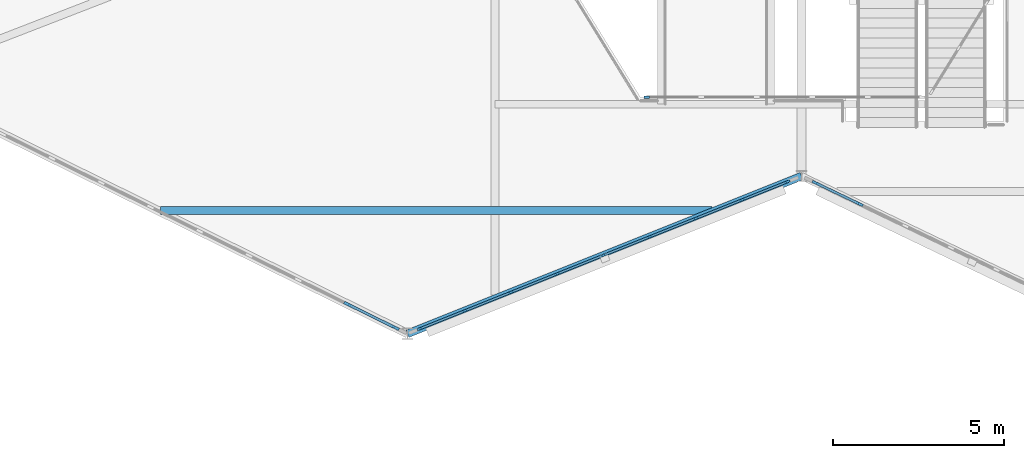
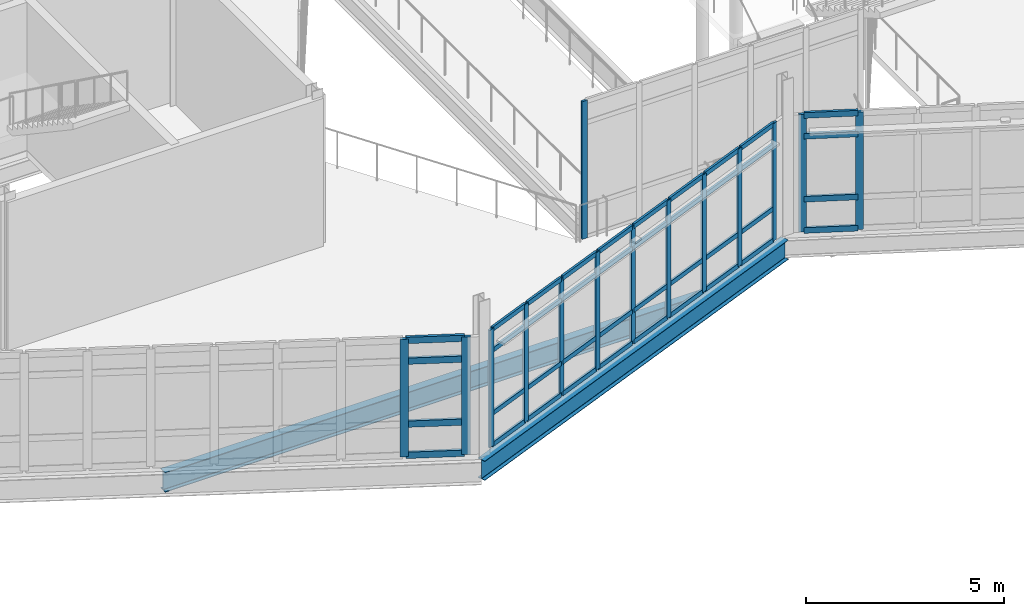
# One storey, part 29 of 114: 54 members, 2 beams, 4 elements without a shape of their own.
"""IFC4 building model written with IfcOpenShell, lengths in metres."""

from ifc_helpers import new_model, si_unit, direction, frame, origin, origin_2d, place, context, subcontext, project, spatial, rectangle, i_section, extrude, material, material_profile, profile_set, type_object, element, aggregate, save


model = new_model("IFC4")

# Units and contexts
model_context = context("Model", 3, precision=1e-05, world=origin(), true_north=direction((0.0, 1.0)))
body_context = subcontext(model_context, "Body", "Model", "MODEL_VIEW")
ifc_project = project(units=[si_unit("LENGTHUNIT", "METRE"), si_unit("AREAUNIT", "SQUARE_METRE"), si_unit("VOLUMEUNIT", "CUBIC_METRE"), si_unit("PLANEANGLEUNIT", "RADIAN"), si_unit("MASSUNIT", "GRAM", prefix="KILO")], contexts=[model_context])

# Site, building, storey
site_placement = place(None, origin())
site = spatial("IfcSite", under=ifc_project, at=site_placement, CompositionType="ELEMENT")
building_placement = place(site_placement, origin())
building = spatial("IfcBuilding", under=site, at=building_placement, Name="Tameran Prism Museum", CompositionType="ELEMENT")
storey_placement = place(building_placement, frame((0.0, 0.0, 10.199951171875)))
storey = spatial("IfcBuildingStorey", under=building, at=storey_placement, Name="L02", CompositionType="ELEMENT", Elevation=10.199951171875)

# Beams
ifc_material_1 = material(Name="Steel Grade 300PLUS (300 MPa)", Category="steel")
ifc_material_profile_1 = material_profile(ifc_material_1, i_section(OverallWidth=0.22802734375, OverallDepth=0.60205078125, WebThickness=0.010498046875, FlangeThickness=0.014892578125, FilletRadius=0.013916015625, at=origin_2d()))
ifc_profile_set_1 = profile_set([ifc_material_profile_1])
beam_type_1 = type_object("IfcBeamType", Name="BM-SP610", PredefinedType="SPANDREL", material=ifc_profile_set_1)
beam_1_placement = place(storey_placement, frame((66.0, 22.800048828125, -0.5009765625), z_axis=(0.928480769028, 0.371380480835, 0.0), x_axis=(-0.371380480835, 0.928480769028, 0.0)))
element("IfcBeam", 1, at=beam_1_placement, inside=storey, type_object=beam_type_1, Name="Perimeter Spandrel SP-0681", PredefinedType="SPANDREL", context=body_context, shape_type="SweptSolid", body=[
    extrude(i_section(OverallWidth=0.22802734375, OverallDepth=0.60205078125, WebThickness=0.010498046875, FlangeThickness=0.014892578125, FilletRadius=0.013916015625, at=origin_2d()), origin(), (0.0, 0.0, 1.0), 12.3857421875),
])
ifc_material_2 = material(Name="Steel Grade 300PLUS (300 MPa)", Category="steel")
ifc_material_profile_2 = material_profile(ifc_material_2, i_section(OverallWidth=0.22802734375, OverallDepth=0.60693359375, WebThickness=0.01123046875, FlangeThickness=0.017333984375, FilletRadius=0.013916015625, at=origin_2d()))
ifc_profile_set_2 = profile_set([ifc_material_profile_2])
beam_type_2 = type_object("IfcBeamType", Name="BM-UB610B", PredefinedType="BEAM", material=ifc_profile_set_2)
beam_2_placement = place(storey_placement, frame((58.79296875, 26.39990234375, -0.50341796875), z_axis=(1.0, 0.0, 0.0), x_axis=(0.0, 1.0, 0.0)))
element("IfcBeam", 2, at=beam_2_placement, inside=storey, type_object=beam_type_2, Name="Floor Beam BM-0850", PredefinedType="BEAM", context=body_context, shape_type="SweptSolid", body=[
    extrude(i_section(OverallWidth=0.22802734375, OverallDepth=0.60693359375, WebThickness=0.01123046875, FlangeThickness=0.017333984375, FilletRadius=0.013916015625, at=origin_2d()), origin(), (0.0, 0.0, 1.0), 16.09912109375),
])

# Curtain wall, member
ifc_material_3 = material(Name="Anodised Aluminium 6063-T6 and Cyclone Solar Glass", Category="aluminium")
curtain_wall_type_1 = type_object("IfcCurtainWallType", Name="CW-ATR-810x424", PredefinedType="USERDEFINED", material=ifc_material_3)
curtain_wall_1_placement = place(storey_placement, origin())
curtain_wall_1 = element("IfcCurtainWall", 3, at=curtain_wall_1_placement, inside=storey, type_object=curtain_wall_type_1, Name="Unitised Curtain Wall CW-007", ObjectType="UNITISED CURTAIN WALL", PredefinedType="USERDEFINED")
ifc_material_4 = material(Name="Anodised Aluminium Alloy 6063-T6", Category="aluminium")
ifc_material_profile_3 = material_profile(ifc_material_4, rectangle(XDim=0.06494140625, YDim=0.159912109375, at=origin_2d()))
ifc_profile_set_3 = profile_set([ifc_material_profile_3])
member_type_1 = type_object("IfcMemberType", Name="CW-MUL-A", PredefinedType="MULLION", material=ifc_profile_set_3)
member_1_placement = place(storey_placement, frame((72.982421875, 29.699951171875, 0.0), z_axis=(0.0, 0.0, 1.0), x_axis=(0.0, 1.0, 0.0)))
member_1 = element("IfcMember", 4, at=member_1_placement, type_object=member_type_1, Name="CW-007 mullion 1", PredefinedType="MULLION", context=body_context, shape_type="SweptSolid", body=[
    extrude(rectangle(XDim=0.06494140625, YDim=0.159912109375, at=origin_2d()), origin(), (0.0, 0.0, 1.0), 4.239990234375),
])
aggregate(curtain_wall_1, [member_1])

# Curtain wall, members
ifc_material_5 = material(Name="Anodised Aluminium 6063-T6 and Cyclone Solar Glass", Category="aluminium")
curtain_wall_type_2 = type_object("IfcCurtainWallType", Name="CW-FAC-1163x362", PredefinedType="USERDEFINED", material=ifc_material_5)
curtain_wall_2_placement = place(storey_placement, origin())
curtain_wall_2 = element("IfcCurtainWall", 5, at=curtain_wall_2_placement, inside=storey, type_object=curtain_wall_type_2, Name="Unitised Curtain Wall CW-107", ObjectType="UNITISED CURTAIN WALL", PredefinedType="USERDEFINED")
member_2_placement = place(storey_placement, frame((77.0888671875, 27.23583984375, 0.0), z_axis=(0.0, 0.0, 1.0), x_axis=(0.371420337114, -0.928464826032, 0.0)))
member_2 = element("IfcMember", 6, at=member_2_placement, type_object=member_type_1, Name="CW-107 mullion 1", PredefinedType="MULLION", context=body_context, shape_type="SweptSolid", body=[
    extrude(rectangle(XDim=0.06494140625, YDim=0.159912109375, at=origin_2d()), origin(), (0.0, 0.0, 1.0), 3.6201171875),
])
member_3_placement = place(storey_placement, frame((75.769775390625, 26.708251953125, 0.0), z_axis=(0.0, 0.0, 1.0), x_axis=(0.371420337114, -0.928464826032, 0.0)))
member_3 = element("IfcMember", 7, at=member_3_placement, type_object=member_type_1, Name="CW-107 mullion 2", PredefinedType="MULLION", context=body_context, shape_type="SweptSolid", body=[
    extrude(rectangle(XDim=0.06494140625, YDim=0.159912109375, at=origin_2d()), origin(), (0.0, 0.0, 1.0), 3.6201171875),
])
member_4_placement = place(storey_placement, frame((74.42041015625, 26.16845703125, 0.0), z_axis=(0.0, 0.0, 1.0), x_axis=(0.371420337114, -0.928464826032, 0.0)))
member_4 = element("IfcMember", 8, at=member_4_placement, type_object=member_type_1, Name="CW-107 mullion 3", PredefinedType="MULLION", context=body_context, shape_type="SweptSolid", body=[
    extrude(rectangle(XDim=0.06494140625, YDim=0.159912109375, at=origin_2d()), origin(), (0.0, 0.0, 1.0), 3.6201171875),
])
member_5_placement = place(storey_placement, frame((73.0712890625, 25.628662109375, 0.0), z_axis=(0.0, 0.0, 1.0), x_axis=(0.371420337114, -0.928464826032, 0.0)))
member_5 = element("IfcMember", 9, at=member_5_placement, type_object=member_type_1, Name="CW-107 mullion 4", PredefinedType="MULLION", context=body_context, shape_type="SweptSolid", body=[
    extrude(rectangle(XDim=0.06494140625, YDim=0.159912109375, at=origin_2d()), origin(), (0.0, 0.0, 1.0), 3.6201171875),
])
member_6_placement = place(storey_placement, frame((71.721923828125, 25.089111328125, 0.0), z_axis=(0.0, 0.0, 1.0), x_axis=(0.371420337114, -0.928464826032, 0.0)))
member_6 = element("IfcMember", 10, at=member_6_placement, type_object=member_type_1, Name="CW-107 mullion 5", PredefinedType="MULLION", context=body_context, shape_type="SweptSolid", body=[
    extrude(rectangle(XDim=0.06494140625, YDim=0.159912109375, at=origin_2d()), origin(), (0.0, 0.0, 1.0), 3.6201171875),
])
member_7_placement = place(storey_placement, frame((70.372802734375, 24.54931640625, 0.0), z_axis=(0.0, 0.0, 1.0), x_axis=(0.371420337114, -0.928464826032, 0.0)))
member_7 = element("IfcMember", 11, at=member_7_placement, type_object=member_type_1, Name="CW-107 mullion 6", PredefinedType="MULLION", context=body_context, shape_type="SweptSolid", body=[
    extrude(rectangle(XDim=0.06494140625, YDim=0.159912109375, at=origin_2d()), origin(), (0.0, 0.0, 1.0), 3.6201171875),
])
member_8_placement = place(storey_placement, frame((69.0234375, 24.009521484375, 0.0), z_axis=(0.0, 0.0, 1.0), x_axis=(0.371420337114, -0.928464826032, 0.0)))
member_8 = element("IfcMember", 12, at=member_8_placement, type_object=member_type_1, Name="CW-107 mullion 7", PredefinedType="MULLION", context=body_context, shape_type="SweptSolid", body=[
    extrude(rectangle(XDim=0.06494140625, YDim=0.159912109375, at=origin_2d()), origin(), (0.0, 0.0, 1.0), 3.6201171875),
])
member_9_placement = place(storey_placement, frame((67.67431640625, 23.4697265625, 0.0), z_axis=(0.0, 0.0, 1.0), x_axis=(0.371420337114, -0.928464826032, 0.0)))
member_9 = element("IfcMember", 13, at=member_9_placement, type_object=member_type_1, Name="CW-107 mullion 8", PredefinedType="MULLION", context=body_context, shape_type="SweptSolid", body=[
    extrude(rectangle(XDim=0.06494140625, YDim=0.159912109375, at=origin_2d()), origin(), (0.0, 0.0, 1.0), 3.6201171875),
])
member_10_placement = place(storey_placement, frame((66.355224609375, 22.942138671875, 0.0), z_axis=(0.0, 0.0, 1.0), x_axis=(0.371420337114, -0.928464826032, 0.0)))
member_10 = element("IfcMember", 14, at=member_10_placement, type_object=member_type_1, Name="CW-107 mullion 9", PredefinedType="MULLION", context=body_context, shape_type="SweptSolid", body=[
    extrude(rectangle(XDim=0.06494140625, YDim=0.159912109375, at=origin_2d()), origin(), (0.0, 0.0, 1.0), 3.6201171875),
])

ifc_material_6 = material(Name="Anodised Aluminium 6063-T6 and Cyclone Solar Glass", Category="aluminium")
curtain_wall_type_3 = type_object("IfcCurtainWallType", Name="CW-FAC-1033x362", PredefinedType="USERDEFINED", material=ifc_material_6)
curtain_wall_3_placement = place(storey_placement, origin())
curtain_wall_3 = element("IfcCurtainWall", 15, at=curtain_wall_3_placement, inside=storey, type_object=curtain_wall_type_3, Name="Unitised Curtain Wall CW-109", ObjectType="UNITISED CURTAIN WALL", PredefinedType="USERDEFINED")
ifc_material_7 = material(Name="Anodised Aluminium Alloy 6063-T6", Category="aluminium")
ifc_material_profile_4 = material_profile(ifc_material_7, rectangle(XDim=0.074951171875, YDim=0.199951171875, at=origin_2d()))
ifc_profile_set_4 = profile_set([ifc_material_profile_4])
member_type_2 = type_object("IfcMemberType", Name="CW-MUL-C", PredefinedType="MULLION", material=ifc_profile_set_4)
member_11_placement = place(storey_placement, frame((79.20068359375, 26.584228515625, 0.0), z_axis=(0.0, 0.0, 1.0), x_axis=(-0.432831753637, -0.901474721245, 0.0)))
member_11 = element("IfcMember", 16, at=member_11_placement, type_object=member_type_2, Name="CW-109 mullion 7", PredefinedType="MULLION", context=body_context, shape_type="SweptSolid", body=[
    extrude(rectangle(XDim=0.074951171875, YDim=0.199951171875, at=origin_2d()), origin(), (0.0, 0.0, 1.0), 3.6201171875),
])
member_12_placement = place(storey_placement, frame((77.90380859375, 27.206787109375, 0.0), z_axis=(0.0, 0.0, 1.0), x_axis=(-0.432831753637, -0.901474721245, 0.0)))
member_12 = element("IfcMember", 17, at=member_12_placement, type_object=member_type_2, Name="CW-109 mullion 8", PredefinedType="MULLION", context=body_context, shape_type="SweptSolid", body=[
    extrude(rectangle(XDim=0.074951171875, YDim=0.199951171875, at=origin_2d()), origin(), (0.0, 0.0, 1.0), 3.6201171875),
])

ifc_material_8 = material(Name="Anodised Aluminium 6063-T6 and Cyclone Solar Glass", Category="aluminium")
curtain_wall_type_4 = type_object("IfcCurtainWallType", Name="CW-FAC-1603x362", PredefinedType="USERDEFINED", material=ifc_material_8)
curtain_wall_4_placement = place(storey_placement, origin())
curtain_wall_4 = element("IfcCurtainWall", 18, at=curtain_wall_4_placement, inside=storey, type_object=curtain_wall_type_4, Name="Unitised Curtain Wall CW-106", ObjectType="UNITISED CURTAIN WALL", PredefinedType="USERDEFINED")
ifc_material_9 = material(Name="Anodised Aluminium Alloy 6063-T6", Category="aluminium")
ifc_material_profile_5 = material_profile(ifc_material_9, rectangle(XDim=0.080078125, YDim=0.219970703125, at=origin_2d()))
ifc_profile_set_5 = profile_set([ifc_material_profile_5])
member_type_3 = type_object("IfcMemberType", Name="CW-MUL-D", PredefinedType="MULLION", material=ifc_profile_set_5)
member_13_placement = place(storey_placement, frame((65.650146484375, 22.97265625, 0.0), z_axis=(0.0, 0.0, 1.0), x_axis=(-0.44241486846, -0.896810506275, 0.0)))
member_13 = element("IfcMember", 19, at=member_13_placement, type_object=member_type_3, Name="CW-106 mullion 1", PredefinedType="MULLION", context=body_context, shape_type="SweptSolid", body=[
    extrude(rectangle(XDim=0.080078125, YDim=0.219970703125, at=origin_2d()), origin(), (0.0, 0.0, 1.0), 3.6201171875),
])
member_14_placement = place(storey_placement, frame((64.248779296875, 23.6640625, 0.0), z_axis=(0.0, 0.0, 1.0), x_axis=(-0.44241486846, -0.896810506275, 0.0)))
member_14 = element("IfcMember", 20, at=member_14_placement, type_object=member_type_3, Name="CW-106 mullion 2", PredefinedType="MULLION", context=body_context, shape_type="SweptSolid", body=[
    extrude(rectangle(XDim=0.080078125, YDim=0.219970703125, at=origin_2d()), origin(), (0.0, 0.0, 1.0), 3.6201171875),
])

# Member
ifc_material_10 = material(Name="Anodised Aluminium Alloy 6063-T6", Category="aluminium")
ifc_material_profile_6 = material_profile(ifc_material_10, rectangle(XDim=0.06494140625, YDim=0.139892578125, at=origin_2d()))
ifc_profile_set_6 = profile_set([ifc_material_profile_6])
member_type_4 = type_object("IfcMemberType", Name="CW-TRN-A", PredefinedType="USERDEFINED", material=ifc_profile_set_6)
member_15_placement = place(storey_placement, frame((77.05859375, 27.223876953125, 0.032470703125), z_axis=(-0.928439430411, -0.371483813991, 0.0), x_axis=(0.371483813991, -0.928439430411, 0.0)))
member_15 = element("IfcMember", 21, at=member_15_placement, type_object=member_type_4, Name="CW-107 transom 1.1", ObjectType="TRANSOM", PredefinedType="USERDEFINED", context=body_context, shape_type="SweptSolid", body=[
    extrude(rectangle(XDim=0.06494140625, YDim=0.139892578125, at=origin_2d()), origin(), (0.0, 0.0, 1.0), 1.355712890625),
])

member_16_placement = place(storey_placement, frame((77.05859375, 27.223876953125, 1.0), z_axis=(-0.928439430411, -0.371483813991, 0.0), x_axis=(0.371483813991, -0.928439430411, 0.0)))
member_16 = element("IfcMember", 22, at=member_16_placement, type_object=member_type_4, Name="CW-107 transom 1.2", ObjectType="TRANSOM", PredefinedType="USERDEFINED", context=body_context, shape_type="SweptSolid", body=[
    extrude(rectangle(XDim=0.06494140625, YDim=0.139892578125, at=origin_2d()), origin(), (0.0, 0.0, 1.0), 1.355712890625),
])

member_17_placement = place(storey_placement, frame((77.05859375, 27.223876953125, 2.93994140625), z_axis=(-0.928439430411, -0.371483813991, 0.0), x_axis=(0.371483813991, -0.928439430411, 0.0)))
member_17 = element("IfcMember", 23, at=member_17_placement, type_object=member_type_4, Name="CW-107 transom 1.3", ObjectType="TRANSOM", PredefinedType="USERDEFINED", context=body_context, shape_type="SweptSolid", body=[
    extrude(rectangle(XDim=0.06494140625, YDim=0.139892578125, at=origin_2d()), origin(), (0.0, 0.0, 1.0), 1.355712890625),
])

member_18_placement = place(storey_placement, frame((77.05859375, 27.223876953125, 3.587646484375), z_axis=(-0.928439430411, -0.371483813991, 0.0), x_axis=(0.371483813991, -0.928439430411, 0.0)))
member_18 = element("IfcMember", 24, at=member_18_placement, type_object=member_type_4, Name="CW-107 transom 1.4", ObjectType="TRANSOM", PredefinedType="USERDEFINED", context=body_context, shape_type="SweptSolid", body=[
    extrude(rectangle(XDim=0.06494140625, YDim=0.139892578125, at=origin_2d()), origin(), (0.0, 0.0, 1.0), 1.355712890625),
])

member_19_placement = place(storey_placement, frame((75.739501953125, 26.6962890625, 0.032470703125), z_axis=(-0.928452430067, -0.371451322656, 0.0), x_axis=(0.371451322656, -0.928452430067, 0.0)))
member_19 = element("IfcMember", 25, at=member_19_placement, type_object=member_type_4, Name="CW-107 transom 2.1", ObjectType="TRANSOM", PredefinedType="USERDEFINED", context=body_context, shape_type="SweptSolid", body=[
    extrude(rectangle(XDim=0.06494140625, YDim=0.139892578125, at=origin_2d()), origin(), (0.0, 0.0, 1.0), 1.38818359375),
])

member_20_placement = place(storey_placement, frame((75.739501953125, 26.6962890625, 1.0), z_axis=(-0.928452430067, -0.371451322656, 0.0), x_axis=(0.371451322656, -0.928452430067, 0.0)))
member_20 = element("IfcMember", 26, at=member_20_placement, type_object=member_type_4, Name="CW-107 transom 2.2", ObjectType="TRANSOM", PredefinedType="USERDEFINED", context=body_context, shape_type="SweptSolid", body=[
    extrude(rectangle(XDim=0.06494140625, YDim=0.139892578125, at=origin_2d()), origin(), (0.0, 0.0, 1.0), 1.38818359375),
])

member_21_placement = place(storey_placement, frame((75.739501953125, 26.6962890625, 2.93994140625), z_axis=(-0.928452430067, -0.371451322656, 0.0), x_axis=(0.371451322656, -0.928452430067, 0.0)))
member_21 = element("IfcMember", 27, at=member_21_placement, type_object=member_type_4, Name="CW-107 transom 2.3", ObjectType="TRANSOM", PredefinedType="USERDEFINED", context=body_context, shape_type="SweptSolid", body=[
    extrude(rectangle(XDim=0.06494140625, YDim=0.139892578125, at=origin_2d()), origin(), (0.0, 0.0, 1.0), 1.38818359375),
])

member_22_placement = place(storey_placement, frame((75.739501953125, 26.6962890625, 3.587646484375), z_axis=(-0.928452430067, -0.371451322656, 0.0), x_axis=(0.371451322656, -0.928452430067, 0.0)))
member_22 = element("IfcMember", 28, at=member_22_placement, type_object=member_type_4, Name="CW-107 transom 2.4", ObjectType="TRANSOM", PredefinedType="USERDEFINED", context=body_context, shape_type="SweptSolid", body=[
    extrude(rectangle(XDim=0.06494140625, YDim=0.139892578125, at=origin_2d()), origin(), (0.0, 0.0, 1.0), 1.38818359375),
])

member_23_placement = place(storey_placement, frame((74.390380859375, 26.156494140625, 0.032470703125), z_axis=(-0.928476690885, -0.371390676354, 0.0), x_axis=(0.371390676354, -0.928476690885, 0.0)))
member_23 = element("IfcMember", 29, at=member_23_placement, type_object=member_type_4, Name="CW-107 transom 3.1", ObjectType="TRANSOM", PredefinedType="USERDEFINED", context=body_context, shape_type="SweptSolid", body=[
    extrude(rectangle(XDim=0.06494140625, YDim=0.139892578125, at=origin_2d()), origin(), (0.0, 0.0, 1.0), 1.388427734375),
])

member_24_placement = place(storey_placement, frame((74.390380859375, 26.156494140625, 1.0), z_axis=(-0.928476690885, -0.371390676354, 0.0), x_axis=(0.371390676354, -0.928476690885, 0.0)))
member_24 = element("IfcMember", 30, at=member_24_placement, type_object=member_type_4, Name="CW-107 transom 3.2", ObjectType="TRANSOM", PredefinedType="USERDEFINED", context=body_context, shape_type="SweptSolid", body=[
    extrude(rectangle(XDim=0.06494140625, YDim=0.139892578125, at=origin_2d()), origin(), (0.0, 0.0, 1.0), 1.388427734375),
])

member_25_placement = place(storey_placement, frame((74.390380859375, 26.156494140625, 2.93994140625), z_axis=(-0.928476690885, -0.371390676354, 0.0), x_axis=(0.371390676354, -0.928476690885, 0.0)))
member_25 = element("IfcMember", 31, at=member_25_placement, type_object=member_type_4, Name="CW-107 transom 3.3", ObjectType="TRANSOM", PredefinedType="USERDEFINED", context=body_context, shape_type="SweptSolid", body=[
    extrude(rectangle(XDim=0.06494140625, YDim=0.139892578125, at=origin_2d()), origin(), (0.0, 0.0, 1.0), 1.388427734375),
])

member_26_placement = place(storey_placement, frame((74.390380859375, 26.156494140625, 3.587646484375), z_axis=(-0.928476690885, -0.371390676354, 0.0), x_axis=(0.371390676354, -0.928476690885, 0.0)))
member_26 = element("IfcMember", 32, at=member_26_placement, type_object=member_type_4, Name="CW-107 transom 3.4", ObjectType="TRANSOM", PredefinedType="USERDEFINED", context=body_context, shape_type="SweptSolid", body=[
    extrude(rectangle(XDim=0.06494140625, YDim=0.139892578125, at=origin_2d()), origin(), (0.0, 0.0, 1.0), 1.388427734375),
])

member_27_placement = place(storey_placement, frame((73.041015625, 25.61669921875, 0.032470703125), z_axis=(-0.928452430067, -0.371451322656, 0.0), x_axis=(0.371451322656, -0.928452430067, 0.0)))
member_27 = element("IfcMember", 33, at=member_27_placement, type_object=member_type_4, Name="CW-107 transom 4.1", ObjectType="TRANSOM", PredefinedType="USERDEFINED", context=body_context, shape_type="SweptSolid", body=[
    extrude(rectangle(XDim=0.06494140625, YDim=0.139892578125, at=origin_2d()), origin(), (0.0, 0.0, 1.0), 1.38818359375),
])

member_28_placement = place(storey_placement, frame((73.041015625, 25.61669921875, 1.0), z_axis=(-0.928452430067, -0.371451322656, 0.0), x_axis=(0.371451322656, -0.928452430067, 0.0)))
member_28 = element("IfcMember", 34, at=member_28_placement, type_object=member_type_4, Name="CW-107 transom 4.2", ObjectType="TRANSOM", PredefinedType="USERDEFINED", context=body_context, shape_type="SweptSolid", body=[
    extrude(rectangle(XDim=0.06494140625, YDim=0.139892578125, at=origin_2d()), origin(), (0.0, 0.0, 1.0), 1.38818359375),
])

member_29_placement = place(storey_placement, frame((73.041015625, 25.61669921875, 2.93994140625), z_axis=(-0.928452430067, -0.371451322656, 0.0), x_axis=(0.371451322656, -0.928452430067, 0.0)))
member_29 = element("IfcMember", 35, at=member_29_placement, type_object=member_type_4, Name="CW-107 transom 4.3", ObjectType="TRANSOM", PredefinedType="USERDEFINED", context=body_context, shape_type="SweptSolid", body=[
    extrude(rectangle(XDim=0.06494140625, YDim=0.139892578125, at=origin_2d()), origin(), (0.0, 0.0, 1.0), 1.38818359375),
])

member_30_placement = place(storey_placement, frame((73.041015625, 25.61669921875, 3.587646484375), z_axis=(-0.928452430067, -0.371451322656, 0.0), x_axis=(0.371451322656, -0.928452430067, 0.0)))
member_30 = element("IfcMember", 36, at=member_30_placement, type_object=member_type_4, Name="CW-107 transom 4.4", ObjectType="TRANSOM", PredefinedType="USERDEFINED", context=body_context, shape_type="SweptSolid", body=[
    extrude(rectangle(XDim=0.06494140625, YDim=0.139892578125, at=origin_2d()), origin(), (0.0, 0.0, 1.0), 1.38818359375),
])

member_31_placement = place(storey_placement, frame((71.69189453125, 25.076904296875, 0.032470703125), z_axis=(-0.928476690885, -0.371390676354, 0.0), x_axis=(0.371390676354, -0.928476690885, 0.0)))
member_31 = element("IfcMember", 37, at=member_31_placement, type_object=member_type_4, Name="CW-107 transom 5.1", ObjectType="TRANSOM", PredefinedType="USERDEFINED", context=body_context, shape_type="SweptSolid", body=[
    extrude(rectangle(XDim=0.06494140625, YDim=0.139892578125, at=origin_2d()), origin(), (0.0, 0.0, 1.0), 1.388427734375),
])

member_32_placement = place(storey_placement, frame((71.69189453125, 25.076904296875, 1.0), z_axis=(-0.928476690885, -0.371390676354, 0.0), x_axis=(0.371390676354, -0.928476690885, 0.0)))
member_32 = element("IfcMember", 38, at=member_32_placement, type_object=member_type_4, Name="CW-107 transom 5.2", ObjectType="TRANSOM", PredefinedType="USERDEFINED", context=body_context, shape_type="SweptSolid", body=[
    extrude(rectangle(XDim=0.06494140625, YDim=0.139892578125, at=origin_2d()), origin(), (0.0, 0.0, 1.0), 1.388427734375),
])

member_33_placement = place(storey_placement, frame((71.69189453125, 25.076904296875, 2.93994140625), z_axis=(-0.928476690885, -0.371390676354, 0.0), x_axis=(0.371390676354, -0.928476690885, 0.0)))
member_33 = element("IfcMember", 39, at=member_33_placement, type_object=member_type_4, Name="CW-107 transom 5.3", ObjectType="TRANSOM", PredefinedType="USERDEFINED", context=body_context, shape_type="SweptSolid", body=[
    extrude(rectangle(XDim=0.06494140625, YDim=0.139892578125, at=origin_2d()), origin(), (0.0, 0.0, 1.0), 1.388427734375),
])

member_34_placement = place(storey_placement, frame((71.69189453125, 25.076904296875, 3.587646484375), z_axis=(-0.928476690885, -0.371390676354, 0.0), x_axis=(0.371390676354, -0.928476690885, 0.0)))
member_34 = element("IfcMember", 40, at=member_34_placement, type_object=member_type_4, Name="CW-107 transom 5.4", ObjectType="TRANSOM", PredefinedType="USERDEFINED", context=body_context, shape_type="SweptSolid", body=[
    extrude(rectangle(XDim=0.06494140625, YDim=0.139892578125, at=origin_2d()), origin(), (0.0, 0.0, 1.0), 1.388427734375),
])

member_35_placement = place(storey_placement, frame((70.342529296875, 24.537109375, 0.032470703125), z_axis=(-0.928452430067, -0.371451322656, 0.0), x_axis=(0.371451322656, -0.928452430067, 0.0)))
member_35 = element("IfcMember", 41, at=member_35_placement, type_object=member_type_4, Name="CW-107 transom 6.1", ObjectType="TRANSOM", PredefinedType="USERDEFINED", context=body_context, shape_type="SweptSolid", body=[
    extrude(rectangle(XDim=0.06494140625, YDim=0.139892578125, at=origin_2d()), origin(), (0.0, 0.0, 1.0), 1.38818359375),
])

member_36_placement = place(storey_placement, frame((70.342529296875, 24.537109375, 1.0), z_axis=(-0.928452430067, -0.371451322656, 0.0), x_axis=(0.371451322656, -0.928452430067, 0.0)))
member_36 = element("IfcMember", 42, at=member_36_placement, type_object=member_type_4, Name="CW-107 transom 6.2", ObjectType="TRANSOM", PredefinedType="USERDEFINED", context=body_context, shape_type="SweptSolid", body=[
    extrude(rectangle(XDim=0.06494140625, YDim=0.139892578125, at=origin_2d()), origin(), (0.0, 0.0, 1.0), 1.38818359375),
])

member_37_placement = place(storey_placement, frame((70.342529296875, 24.537109375, 2.93994140625), z_axis=(-0.928452430067, -0.371451322656, 0.0), x_axis=(0.371451322656, -0.928452430067, 0.0)))
member_37 = element("IfcMember", 43, at=member_37_placement, type_object=member_type_4, Name="CW-107 transom 6.3", ObjectType="TRANSOM", PredefinedType="USERDEFINED", context=body_context, shape_type="SweptSolid", body=[
    extrude(rectangle(XDim=0.06494140625, YDim=0.139892578125, at=origin_2d()), origin(), (0.0, 0.0, 1.0), 1.38818359375),
])

member_38_placement = place(storey_placement, frame((70.342529296875, 24.537109375, 3.587646484375), z_axis=(-0.928452430067, -0.371451322656, 0.0), x_axis=(0.371451322656, -0.928452430067, 0.0)))
member_38 = element("IfcMember", 44, at=member_38_placement, type_object=member_type_4, Name="CW-107 transom 6.4", ObjectType="TRANSOM", PredefinedType="USERDEFINED", context=body_context, shape_type="SweptSolid", body=[
    extrude(rectangle(XDim=0.06494140625, YDim=0.139892578125, at=origin_2d()), origin(), (0.0, 0.0, 1.0), 1.38818359375),
])

member_39_placement = place(storey_placement, frame((68.993408203125, 23.997314453125, 0.032470703125), z_axis=(-0.92853731966, -0.371239068523, 0.0), x_axis=(0.371239068523, -0.92853731966, 0.0)))
member_39 = element("IfcMember", 45, at=member_39_placement, type_object=member_type_4, Name="CW-107 transom 7.1", ObjectType="TRANSOM", PredefinedType="USERDEFINED", context=body_context, shape_type="SweptSolid", body=[
    extrude(rectangle(XDim=0.06494140625, YDim=0.139892578125, at=origin_2d()), origin(), (0.0, 0.0, 1.0), 1.38818359375),
])

member_40_placement = place(storey_placement, frame((68.993408203125, 23.997314453125, 1.0), z_axis=(-0.92853731966, -0.371239068523, 0.0), x_axis=(0.371239068523, -0.92853731966, 0.0)))
member_40 = element("IfcMember", 46, at=member_40_placement, type_object=member_type_4, Name="CW-107 transom 7.2", ObjectType="TRANSOM", PredefinedType="USERDEFINED", context=body_context, shape_type="SweptSolid", body=[
    extrude(rectangle(XDim=0.06494140625, YDim=0.139892578125, at=origin_2d()), origin(), (0.0, 0.0, 1.0), 1.38818359375),
])

member_41_placement = place(storey_placement, frame((68.993408203125, 23.997314453125, 2.93994140625), z_axis=(-0.92853731966, -0.371239068523, 0.0), x_axis=(0.371239068523, -0.92853731966, 0.0)))
member_41 = element("IfcMember", 47, at=member_41_placement, type_object=member_type_4, Name="CW-107 transom 7.3", ObjectType="TRANSOM", PredefinedType="USERDEFINED", context=body_context, shape_type="SweptSolid", body=[
    extrude(rectangle(XDim=0.06494140625, YDim=0.139892578125, at=origin_2d()), origin(), (0.0, 0.0, 1.0), 1.38818359375),
])

member_42_placement = place(storey_placement, frame((68.993408203125, 23.997314453125, 3.587646484375), z_axis=(-0.92853731966, -0.371239068523, 0.0), x_axis=(0.371239068523, -0.92853731966, 0.0)))
member_42 = element("IfcMember", 48, at=member_42_placement, type_object=member_type_4, Name="CW-107 transom 7.4", ObjectType="TRANSOM", PredefinedType="USERDEFINED", context=body_context, shape_type="SweptSolid", body=[
    extrude(rectangle(XDim=0.06494140625, YDim=0.139892578125, at=origin_2d()), origin(), (0.0, 0.0, 1.0), 1.38818359375),
])

member_43_placement = place(storey_placement, frame((67.64404296875, 23.457763671875, 0.032470703125), z_axis=(-0.928439430411, -0.371483813991, 0.0), x_axis=(0.371483813991, -0.928439430411, 0.0)))
member_43 = element("IfcMember", 49, at=member_43_placement, type_object=member_type_4, Name="CW-107 transom 8.1", ObjectType="TRANSOM", PredefinedType="USERDEFINED", context=body_context, shape_type="SweptSolid", body=[
    extrude(rectangle(XDim=0.06494140625, YDim=0.139892578125, at=origin_2d()), origin(), (0.0, 0.0, 1.0), 1.355712890625),
])

member_44_placement = place(storey_placement, frame((67.64404296875, 23.457763671875, 1.0), z_axis=(-0.928439430411, -0.371483813991, 0.0), x_axis=(0.371483813991, -0.928439430411, 0.0)))
member_44 = element("IfcMember", 50, at=member_44_placement, type_object=member_type_4, Name="CW-107 transom 8.2", ObjectType="TRANSOM", PredefinedType="USERDEFINED", context=body_context, shape_type="SweptSolid", body=[
    extrude(rectangle(XDim=0.06494140625, YDim=0.139892578125, at=origin_2d()), origin(), (0.0, 0.0, 1.0), 1.355712890625),
])

member_45_placement = place(storey_placement, frame((67.64404296875, 23.457763671875, 2.93994140625), z_axis=(-0.928439430411, -0.371483813991, 0.0), x_axis=(0.371483813991, -0.928439430411, 0.0)))
member_45 = element("IfcMember", 51, at=member_45_placement, type_object=member_type_4, Name="CW-107 transom 8.3", ObjectType="TRANSOM", PredefinedType="USERDEFINED", context=body_context, shape_type="SweptSolid", body=[
    extrude(rectangle(XDim=0.06494140625, YDim=0.139892578125, at=origin_2d()), origin(), (0.0, 0.0, 1.0), 1.355712890625),
])

member_46_placement = place(storey_placement, frame((67.64404296875, 23.457763671875, 3.587646484375), z_axis=(-0.928439430411, -0.371483813991, 0.0), x_axis=(0.371483813991, -0.928439430411, 0.0)))
member_46 = element("IfcMember", 52, at=member_46_placement, type_object=member_type_4, Name="CW-107 transom 8.4", ObjectType="TRANSOM", PredefinedType="USERDEFINED", context=body_context, shape_type="SweptSolid", body=[
    extrude(rectangle(XDim=0.06494140625, YDim=0.139892578125, at=origin_2d()), origin(), (0.0, 0.0, 1.0), 1.355712890625),
])

aggregate(curtain_wall_2, [member_2, member_3, member_4, member_5, member_6, member_7, member_8, member_9, member_10, member_15, member_16, member_17, member_18, member_19, member_20, member_21, member_22, member_23, member_24, member_25, member_26, member_27, member_28, member_29, member_30, member_31, member_32, member_33, member_34, member_35, member_36, member_37, member_38, member_39, member_40, member_41, member_42, member_43, member_44, member_45, member_46])

ifc_material_11 = material(Name="Anodised Aluminium Alloy 6063-T6", Category="aluminium")
ifc_material_profile_7 = material_profile(ifc_material_11, rectangle(XDim=0.074951171875, YDim=0.175048828125, at=origin_2d()))
ifc_profile_set_7 = profile_set([ifc_material_profile_7])
member_type_5 = type_object("IfcMemberType", Name="CW-TRN-C", PredefinedType="USERDEFINED", material=ifc_profile_set_7)
member_47_placement = place(storey_placement, frame((79.166748046875, 26.600341796875, 0.03759765625), z_axis=(-0.901509087026, 0.432760171468, 0.0), x_axis=(-0.432760171468, -0.901509087026, 0.0)))
member_47 = element("IfcMember", 53, at=member_47_placement, type_object=member_type_5, Name="CW-109 transom 7.1", ObjectType="TRANSOM", PredefinedType="USERDEFINED", context=body_context, shape_type="SweptSolid", body=[
    extrude(rectangle(XDim=0.074951171875, YDim=0.175048828125, at=origin_2d()), origin(), (0.0, 0.0, 1.0), 1.363525390625),
])

member_48_placement = place(storey_placement, frame((79.166748046875, 26.600341796875, 1.0), z_axis=(-0.901509087026, 0.432760171468, 0.0), x_axis=(-0.432760171468, -0.901509087026, 0.0)))
member_48 = element("IfcMember", 54, at=member_48_placement, type_object=member_type_5, Name="CW-109 transom 7.2", ObjectType="TRANSOM", PredefinedType="USERDEFINED", context=body_context, shape_type="SweptSolid", body=[
    extrude(rectangle(XDim=0.074951171875, YDim=0.175048828125, at=origin_2d()), origin(), (0.0, 0.0, 1.0), 1.363525390625),
])

member_49_placement = place(storey_placement, frame((79.166748046875, 26.600341796875, 2.93994140625), z_axis=(-0.901509087026, 0.432760171468, 0.0), x_axis=(-0.432760171468, -0.901509087026, 0.0)))
member_49 = element("IfcMember", 55, at=member_49_placement, type_object=member_type_5, Name="CW-109 transom 7.3", ObjectType="TRANSOM", PredefinedType="USERDEFINED", context=body_context, shape_type="SweptSolid", body=[
    extrude(rectangle(XDim=0.074951171875, YDim=0.175048828125, at=origin_2d()), origin(), (0.0, 0.0, 1.0), 1.363525390625),
])

member_50_placement = place(storey_placement, frame((79.166748046875, 26.600341796875, 3.58251953125), z_axis=(-0.901509087026, 0.432760171468, 0.0), x_axis=(-0.432760171468, -0.901509087026, 0.0)))
member_50 = element("IfcMember", 56, at=member_50_placement, type_object=member_type_5, Name="CW-109 transom 7.4", ObjectType="TRANSOM", PredefinedType="USERDEFINED", context=body_context, shape_type="SweptSolid", body=[
    extrude(rectangle(XDim=0.074951171875, YDim=0.175048828125, at=origin_2d()), origin(), (0.0, 0.0, 1.0), 1.363525390625),
])

aggregate(curtain_wall_3, [member_11, member_12, member_47, member_48, member_49, member_50])

ifc_material_12 = material(Name="Anodised Aluminium Alloy 6063-T6", Category="aluminium")
ifc_material_profile_8 = material_profile(ifc_material_12, rectangle(XDim=0.080078125, YDim=0.195068359375, at=origin_2d()))
ifc_profile_set_8 = profile_set([ifc_material_profile_8])
member_type_6 = type_object("IfcMemberType", Name="CW-TRN-D", PredefinedType="USERDEFINED", material=ifc_profile_set_8)
member_51_placement = place(storey_placement, frame((65.6142578125, 22.990478515625, 0.0400390625), z_axis=(-0.896851182576, 0.442332404774, 0.0), x_axis=(-0.442332404774, -0.896851182576, 0.0)))
member_51 = element("IfcMember", 57, at=member_51_placement, type_object=member_type_6, Name="CW-106 transom 1.1", ObjectType="TRANSOM", PredefinedType="USERDEFINED", context=body_context, shape_type="SweptSolid", body=[
    extrude(rectangle(XDim=0.080078125, YDim=0.195068359375, at=origin_2d()), origin(), (0.0, 0.0, 1.0), 1.482421875),
])

member_52_placement = place(storey_placement, frame((65.6142578125, 22.990478515625, 1.0), z_axis=(-0.896851182576, 0.442332404774, 0.0), x_axis=(-0.442332404774, -0.896851182576, 0.0)))
member_52 = element("IfcMember", 58, at=member_52_placement, type_object=member_type_6, Name="CW-106 transom 1.2", ObjectType="TRANSOM", PredefinedType="USERDEFINED", context=body_context, shape_type="SweptSolid", body=[
    extrude(rectangle(XDim=0.080078125, YDim=0.195068359375, at=origin_2d()), origin(), (0.0, 0.0, 1.0), 1.482421875),
])

member_53_placement = place(storey_placement, frame((65.6142578125, 22.990478515625, 2.93994140625), z_axis=(-0.896851182576, 0.442332404774, 0.0), x_axis=(-0.442332404774, -0.896851182576, 0.0)))
member_53 = element("IfcMember", 59, at=member_53_placement, type_object=member_type_6, Name="CW-106 transom 1.3", ObjectType="TRANSOM", PredefinedType="USERDEFINED", context=body_context, shape_type="SweptSolid", body=[
    extrude(rectangle(XDim=0.080078125, YDim=0.195068359375, at=origin_2d()), origin(), (0.0, 0.0, 1.0), 1.482421875),
])

member_54_placement = place(storey_placement, frame((65.6142578125, 22.990478515625, 3.580078125), z_axis=(-0.896851182576, 0.442332404774, 0.0), x_axis=(-0.442332404774, -0.896851182576, 0.0)))
member_54 = element("IfcMember", 60, at=member_54_placement, type_object=member_type_6, Name="CW-106 transom 1.4", ObjectType="TRANSOM", PredefinedType="USERDEFINED", context=body_context, shape_type="SweptSolid", body=[
    extrude(rectangle(XDim=0.080078125, YDim=0.195068359375, at=origin_2d()), origin(), (0.0, 0.0, 1.0), 1.482421875),
])

aggregate(curtain_wall_4, [member_13, member_14, member_51, member_52, member_53, member_54])

save(model, "model.ifc")
